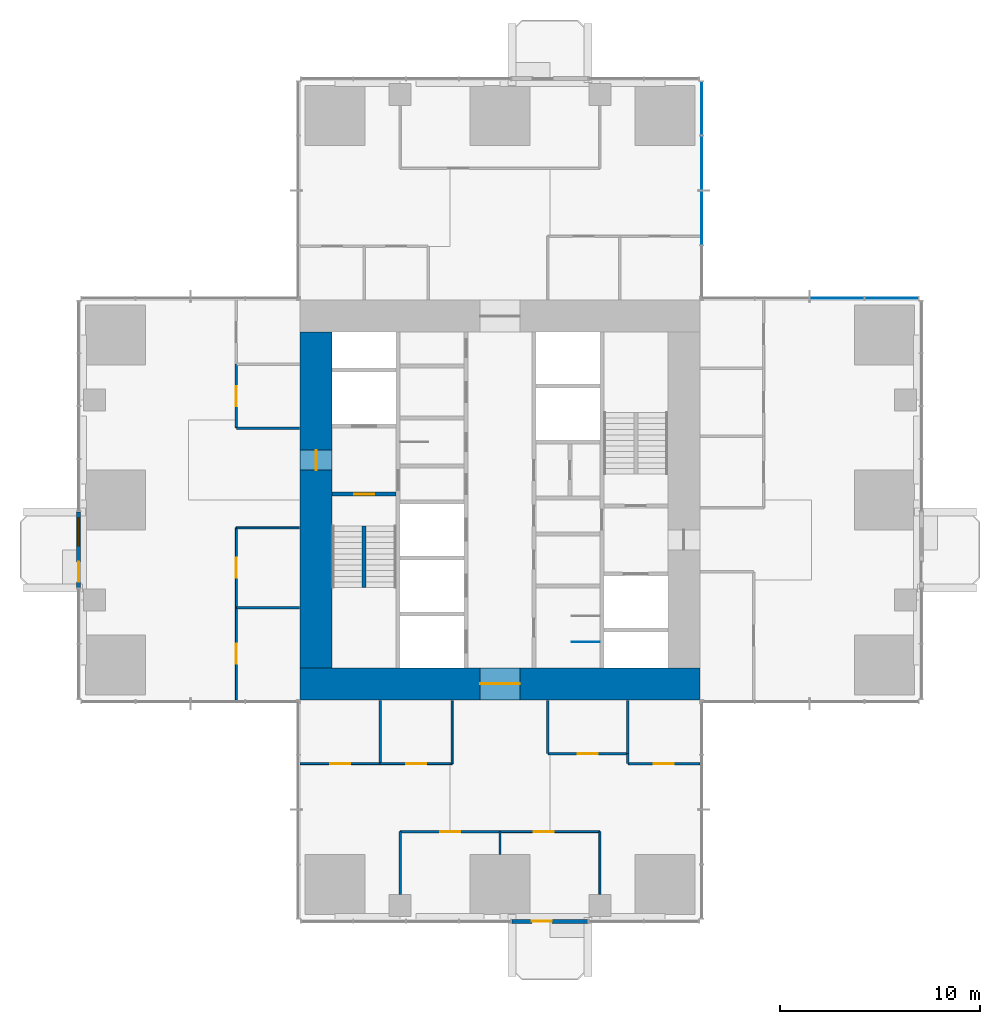
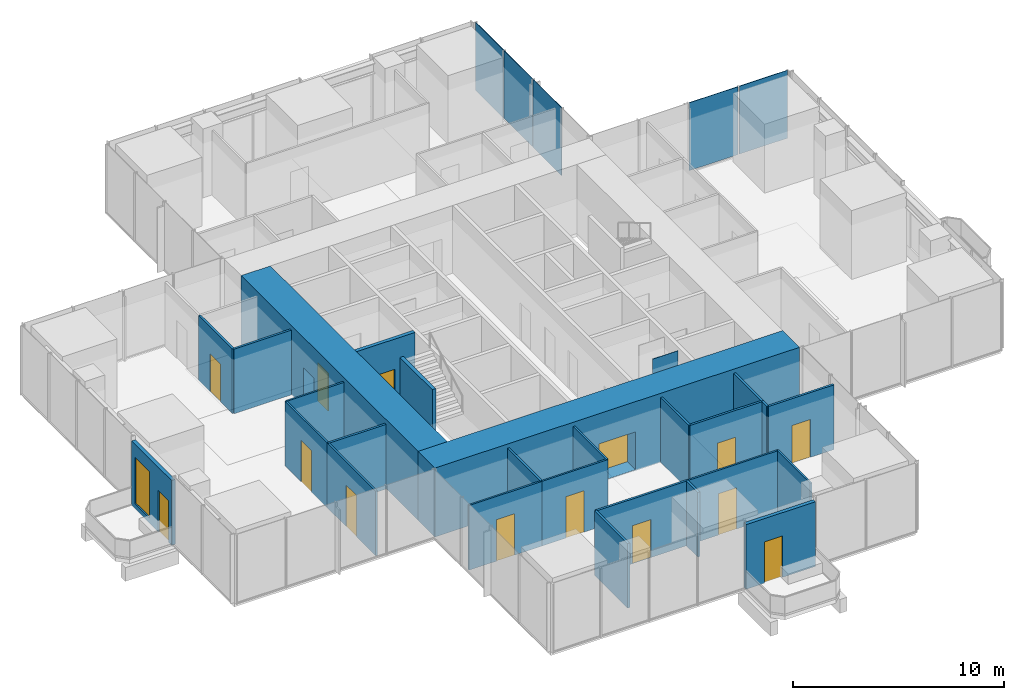
# One storey, part 8 of 13: 27 walls, 14 doors, 5 plates, 1 window, 15 openings, 2 elements without a shape of their own.
"""IFC4 building model written with IfcOpenShell, lengths in metres."""

from ifc_helpers import new_model, si_unit, direction, frame, frame_2d, origin, origin_2d, place, context, subcontext, project, spatial, rectangle, extrude, material, layer, layer_set, type_object, element, fill, aggregate, save


model = new_model("IFC4")

# Units and contexts
model_context = context("Model", 3, precision=1e-05, world=origin(), true_north=direction((0.0, 1.0)))
body_context = subcontext(model_context, "Body", "Model", "MODEL_VIEW")
ifc_project = project(units=[si_unit("LENGTHUNIT", "METRE"), si_unit("AREAUNIT", "SQUARE_METRE"), si_unit("VOLUMEUNIT", "CUBIC_METRE"), si_unit("PLANEANGLEUNIT", "RADIAN"), si_unit("MASSUNIT", "GRAM", prefix="KILO")], contexts=[model_context])

# Site, building, storey
site_placement = place(None, origin())
site = spatial("IfcSite", under=ifc_project, at=site_placement, CompositionType="ELEMENT")
building_placement = place(site_placement, origin())
building = spatial("IfcBuilding", under=site, at=building_placement, Name="Svetlomir Tower", CompositionType="ELEMENT")
storey_placement = place(building_placement, frame((0.0, 0.0, 128.5)))
storey = spatial("IfcBuildingStorey", under=building, at=storey_placement, Name="L30", CompositionType="ELEMENT", Elevation=128.5)

# Curtain wall, plates
ifc_material_1 = material(Name="Bronze anodised aluminium curtain wall", Category="aluminium")
curtain_wall_type = type_object("IfcCurtainWallType", Name="CURTAIN WALL CW1 TOWER OFFICE", PredefinedType="NOTDEFINED", material=ifc_material_1)
curtain_wall_1_placement = place(storey_placement, origin())
curtain_wall_1 = element("IfcCurtainWall", 1, at=curtain_wall_1_placement, inside=storey, type_object=curtain_wall_type, Name="Curtain wall CW1 L30", PredefinedType="NOTDEFINED")
ifc_material_2 = material(Name="Tinted double glazed unit", Category="glass")
ifc_layer_1 = layer(ifc_material_2, 0.031982421875)
ifc_layer_set_1 = layer_set([ifc_layer_1], Name="Tinted double glazed unit")
plate_type = type_object("IfcPlateType", Name="CW1 GLAZED PANEL 32", PredefinedType="CURTAIN_PANEL", material=ifc_layer_set_1)
plate_1_placement = place(storey_placement, frame((40.608642578125, 31.10009765625, 0.06494140625), z_axis=(0.0, 0.0, 1.0), x_axis=(-1.0, 0.0, 0.0)))
plate_1 = element("IfcPlate", 2, at=plate_1_placement, type_object=plate_type, Name="CW1 panel 1.1", PredefinedType="CURTAIN_PANEL", context=body_context, shape_type="SweptSolid", body=[
    extrude(rectangle(XDim=2.652587890625, YDim=0.031982421875, at=origin_2d()), origin(), (0.0, 0.0, 1.0), 3.93505859375),
])
plate_2_placement = place(storey_placement, frame((37.875, 31.10009765625, 0.06494140625), z_axis=(0.0, 0.0, 1.0), x_axis=(-1.0, 0.0, 0.0)))
plate_2 = element("IfcPlate", 3, at=plate_2_placement, type_object=plate_type, Name="CW1 panel 2.1", PredefinedType="CURTAIN_PANEL", context=body_context, shape_type="SweptSolid", body=[
    extrude(rectangle(XDim=2.68505859375, YDim=0.031982421875, at=origin_2d()), origin(), (0.0, 0.0, 1.0), 3.93505859375),
])
aggregate(curtain_wall_1, [plate_1, plate_2])

curtain_wall_2_placement = place(storey_placement, origin())
curtain_wall_2 = element("IfcCurtainWall", 4, at=curtain_wall_2_placement, inside=storey, type_object=curtain_wall_type, Name="Curtain wall CW1 L30", PredefinedType="NOTDEFINED")
plate_3_placement = place(storey_placement, frame((31.10009765625, 35.125, 0.06494140625), z_axis=(0.0, 0.0, 1.0), x_axis=(0.0, 1.0, 0.0)))
plate_3 = element("IfcPlate", 5, at=plate_3_placement, type_object=plate_type, Name="CW1 panel 2.1", PredefinedType="CURTAIN_PANEL", context=body_context, shape_type="SweptSolid", body=[
    extrude(rectangle(XDim=2.68505859375, YDim=0.031982421875, at=origin_2d()), origin(), (0.0, 0.0, 1.0), 3.93505859375),
])
plate_4_placement = place(storey_placement, frame((31.10009765625, 37.875, 0.06494140625), z_axis=(0.0, 0.0, 1.0), x_axis=(0.0, 1.0, 0.0)))
plate_4 = element("IfcPlate", 6, at=plate_4_placement, type_object=plate_type, Name="CW1 panel 3.1", PredefinedType="CURTAIN_PANEL", context=body_context, shape_type="SweptSolid", body=[
    extrude(rectangle(XDim=2.68505859375, YDim=0.031982421875, at=origin_2d()), origin(), (0.0, 0.0, 1.0), 3.93505859375),
])
plate_5_placement = place(storey_placement, frame((31.10009765625, 40.608642578125, 0.06494140625), z_axis=(0.0, 0.0, 1.0), x_axis=(0.0, 1.0, 0.0)))
plate_5 = element("IfcPlate", 7, at=plate_5_placement, type_object=plate_type, Name="CW1 panel 4.1", PredefinedType="CURTAIN_PANEL", context=body_context, shape_type="SweptSolid", body=[
    extrude(rectangle(XDim=2.652587890625, YDim=0.031982421875, at=origin_2d()), origin(), (0.0, 0.0, 1.0), 3.93505859375),
])
aggregate(curtain_wall_2, [plate_3, plate_4, plate_5])

# Wall, opening, door
ifc_material_3 = material(Name="Bronze anodised aluminium glazed screen", Category="aluminium")
ifc_layer_2 = layer(ifc_material_3, 0.199951171875)
ifc_layer_set_2 = layer_set([ifc_layer_2], Name="Bronze anodised aluminium glazed screen")
wall_type_1 = type_object("IfcWallType", Name="BALCONY SCREEN WALL 200", PredefinedType="USERDEFINED", material=ifc_layer_set_2)
wall_1_placement = place(storey_placement, frame((21.60009765625, -0.10009765625, 0.0), z_axis=(0.0, 0.0, 1.0), x_axis=(1.0, 0.0, 0.0)))
wall_1 = element("IfcWall", 8, at=wall_1_placement, inside=storey, type_object=wall_type_1, Name="Balcony screen S", ObjectType="GLAZED SCREEN", PredefinedType="USERDEFINED", context=body_context, shape_type="SweptSolid", body=[
    extrude(rectangle(XDim=3.7998046875, YDim=0.199951171875, at=frame_2d((1.89990234375, 0.0))), origin(), (0.0, 0.0, 1.0), 3.75),
])
opening_1_placement = place(wall_1_placement, frame((1.0, 0.0, 0.0)))
opening_1 = element("IfcOpeningElement", 9, at=opening_1_placement, cuts=wall_1, Name="Opening BD", PredefinedType="OPENING", context=body_context, shape_type="SweptSolid", body=[
    extrude(rectangle(XDim=1.0, YDim=2.39990234375, at=frame_2d((0.5, 1.199951171875))), frame((0.0, 0.10986328125, 0.0), z_axis=(0.0, -1.0, 0.0), x_axis=(1.0, 0.0, 0.0)), (0.0, 0.0, 1.0), 0.219970703125),
])
ifc_material_4 = material(Name="Bronze anodised aluminium glazed door", Category="aluminium")
door_type_1 = type_object("IfcDoorType", Name="BALCONY DOOR BD 1000x2400", OperationType="SINGLE_SWING_LEFT", PredefinedType="DOOR", material=ifc_material_4)
door_1_placement = place(opening_1_placement, origin())
door_1 = element("IfcDoor", 10, at=door_1_placement, inside=storey, type_object=door_type_1, Name="Balcony screen S door", OperationType="SINGLE_SWING_LEFT", OverallHeight=2.39990234375, OverallWidth=1.0, PredefinedType="DOOR", context=body_context, shape_type="SweptSolid", body=[
    extrude(rectangle(XDim=1.0, YDim=2.39990234375, at=frame_2d((0.5, 1.199951171875))), frame((0.0, 0.02490234375, 0.0), z_axis=(0.0, -1.0, 0.0), x_axis=(1.0, 0.0, 0.0)), (0.0, 0.0, 1.0), 0.050048828125),
])
fill(opening_1, door_1)

# Wall, openings, door, window
wall_2_placement = place(storey_placement, frame((-0.10009765625, 20.39990234375, 0.0), z_axis=(0.0, 0.0, 1.0), x_axis=(0.0, -1.0, 0.0)))
wall_2 = element("IfcWall", 11, at=wall_2_placement, inside=storey, type_object=wall_type_1, Name="Balcony screen W", ObjectType="GLAZED SCREEN", PredefinedType="USERDEFINED", context=body_context, shape_type="SweptSolid", body=[
    extrude(rectangle(XDim=3.7998046875, YDim=0.199951171875, at=frame_2d((1.89990234375, 0.0))), origin(), (0.0, 0.0, 1.0), 3.75),
])
opening_2_placement = place(wall_2_placement, frame((2.5, 0.0, 0.0)))
opening_2 = element("IfcOpeningElement", 12, at=opening_2_placement, cuts=wall_2, Name="Opening BD", PredefinedType="OPENING", context=body_context, shape_type="SweptSolid", body=[
    extrude(rectangle(XDim=1.0, YDim=2.39990234375, at=frame_2d((0.5, 1.199951171875))), frame((0.0, 0.10986328125, 0.0), z_axis=(0.0, -1.0, 0.0), x_axis=(1.0, 0.0, 0.0)), (0.0, 0.0, 1.0), 0.219970703125),
])
opening_3_placement = place(wall_2_placement, frame((0.300048828125, 0.0, 0.300048828125)))
opening_3 = element("IfcOpeningElement", 13, at=opening_3_placement, cuts=wall_2, Name="Opening WS2", PredefinedType="OPENING", context=body_context, shape_type="SweptSolid", body=[
    extrude(rectangle(XDim=1.39990234375, YDim=2.699951171875, at=frame_2d((0.699951171875, 1.35009765625))), frame((0.0, 0.10986328125, 0.0), z_axis=(0.0, -1.0, 0.0), x_axis=(1.0, 0.0, 0.0)), (0.0, 0.0, 1.0), 0.219970703125),
])
door_2_placement = place(opening_2_placement, origin())
door_2 = element("IfcDoor", 14, at=door_2_placement, inside=storey, type_object=door_type_1, Name="Balcony screen W door", OperationType="SINGLE_SWING_LEFT", OverallHeight=2.39990234375, OverallWidth=1.0, PredefinedType="DOOR", context=body_context, shape_type="SweptSolid", body=[
    extrude(rectangle(XDim=1.0, YDim=2.39990234375, at=frame_2d((0.5, 1.199951171875))), frame((0.0, 0.02490234375, 0.0), z_axis=(0.0, -1.0, 0.0), x_axis=(1.0, 0.0, 0.0)), (0.0, 0.0, 1.0), 0.050048828125),
])
fill(opening_2, door_2)
ifc_material_5 = material(Name="Bronze anodised aluminium window", Category="aluminium")
window_type = type_object("IfcWindowType", Name="SCREEN WINDOW WS2 1400x2700", PartitioningType="SINGLE_PANEL", PredefinedType="WINDOW", material=ifc_material_5)
window_placement = place(opening_3_placement, origin())
window = element("IfcWindow", 15, at=window_placement, inside=storey, type_object=window_type, Name="Balcony screen W window 1", OverallHeight=2.699951171875, OverallWidth=1.39990234375, PartitioningType="SINGLE_PANEL", PredefinedType="WINDOW", context=body_context, shape_type="SweptSolid", body=[
    extrude(rectangle(XDim=1.39990234375, YDim=2.699951171875, at=frame_2d((0.699951171875, 1.35009765625))), frame((0.0, 0.030029296875, 0.0), z_axis=(0.0, -1.0, 0.0), x_axis=(1.0, 0.0, 0.0)), (0.0, 0.0, 1.0), 0.06005859375),
])
fill(opening_3, window)

# Wall, opening, door
ifc_material_6 = material(Name="Concrete C60/75", Category="concrete")
ifc_layer_3 = layer(ifc_material_6, 0.199951171875)
ifc_layer_set_3 = layer_set([ifc_layer_3], Name="Concrete C60/75")
wall_type_2 = type_object("IfcWallType", Name="CORE INNER WALL 200", PredefinedType="SHEAR", material=ifc_layer_set_3)
wall_3_placement = place(storey_placement, frame((12.60009765625, 21.300048828125, -0.050048828125), z_axis=(0.0, 0.0, 1.0), x_axis=(1.0, 0.0, 0.0)))
wall_3 = element("IfcWall", 16, at=wall_3_placement, inside=storey, type_object=wall_type_2, Name="Core inner wall 12.6-15.8/21.3 L30", PredefinedType="SHEAR", context=body_context, shape_type="SweptSolid", body=[
    extrude(rectangle(XDim=3.199951171875, YDim=0.199951171875, at=frame_2d((1.60009765625, 0.0))), origin(), (0.0, 0.0, 1.0), 4.0),
])
opening_4_placement = place(wall_3_placement, frame((1.10009765625, 0.0, 0.050048828125)))
opening_4 = element("IfcOpeningElement", 17, at=opening_4_placement, cuts=wall_3, Name="Opening DF", PredefinedType="OPENING", context=body_context, shape_type="SweptSolid", body=[
    extrude(rectangle(XDim=1.0, YDim=2.199951171875, at=frame_2d((0.5, 1.10009765625))), frame((0.0, 0.10986328125, 0.0), z_axis=(0.0, -1.0, 0.0), x_axis=(1.0, 0.0, 0.0)), (0.0, 0.0, 1.0), 0.219970703125),
])
ifc_material_7 = material(Name="Steel fire door", Category="steel")
door_type_2 = type_object("IfcDoorType", Name="DOOR DF 1000x2200", OperationType="SINGLE_SWING_LEFT", PredefinedType="DOOR", material=ifc_material_7)
door_3_placement = place(opening_4_placement, origin())
door_3 = element("IfcDoor", 18, at=door_3_placement, inside=storey, type_object=door_type_2, Name="Stair S1 door L30", OperationType="SINGLE_SWING_LEFT", OverallHeight=2.199951171875, OverallWidth=1.0, PredefinedType="DOOR", context=body_context, shape_type="SweptSolid", body=[
    extrude(rectangle(XDim=1.0, YDim=2.199951171875, at=frame_2d((0.5, 1.10009765625))), frame((0.0, 0.02490234375, 0.0), z_axis=(0.0, -1.0, 0.0), x_axis=(1.0, 0.0, 0.0)), (0.0, 0.0, 1.0), 0.050048828125),
])
fill(opening_4, door_3)

ifc_material_8 = material(Name="Concrete C60/75", Category="concrete")
ifc_layer_4 = layer(ifc_material_8, 1.60009765625)
ifc_layer_set_4 = layer_set([ifc_layer_4], Name="Concrete C60/75")
wall_type_3 = type_object("IfcWallType", Name="CORE WALL 1600", PredefinedType="SHEAR", material=ifc_layer_set_4)
wall_4_placement = place(storey_placement, frame((11.0, 11.800048828125, -0.050048828125), z_axis=(0.0, 0.0, 1.0), x_axis=(1.0, 0.0, 0.0)))
wall_4 = element("IfcWall", 19, at=wall_4_placement, inside=storey, type_object=wall_type_3, Name="Core wall south L30", PredefinedType="SHEAR", context=body_context, shape_type="SweptSolid", body=[
    extrude(rectangle(XDim=20.0, YDim=1.60009765625, at=frame_2d((10.0, 0.0))), origin(), (0.0, 0.0, 1.0), 4.0),
])
opening_5_placement = place(wall_4_placement, frame((9.0, 0.0, 0.050048828125)))
opening_5 = element("IfcOpeningElement", 20, at=opening_5_placement, cuts=wall_4, Name="Opening DL", PredefinedType="OPENING", context=body_context, shape_type="SweptSolid", body=[
    extrude(rectangle(XDim=2.0, YDim=2.199951171875, at=frame_2d((1.0, 1.10009765625))), frame((0.0, 0.81005859375, 0.0), z_axis=(0.0, -1.0, 0.0), x_axis=(1.0, 0.0, 0.0)), (0.0, 0.0, 1.0), 1.6201171875),
])
ifc_material_9 = material(Name="Steel fire door", Category="steel")
door_type_3 = type_object("IfcDoorType", Name="DOOR DL 2000x2200", OperationType="DOUBLE_DOOR_SINGLE_SWING", PredefinedType="DOOR", material=ifc_material_9)
door_4_placement = place(opening_5_placement, origin())
door_4 = element("IfcDoor", 21, at=door_4_placement, inside=storey, type_object=door_type_3, Name="Lift lobby south door L30", OperationType="DOUBLE_DOOR_SINGLE_SWING", OverallHeight=2.199951171875, OverallWidth=2.0, PredefinedType="DOOR", context=body_context, shape_type="SweptSolid", body=[
    extrude(rectangle(XDim=2.0, YDim=2.199951171875, at=frame_2d((1.0, 1.10009765625))), frame((0.0, 0.02490234375, 0.0), z_axis=(0.0, -1.0, 0.0), x_axis=(1.0, 0.0, 0.0)), (0.0, 0.0, 1.0), 0.050048828125),
])
fill(opening_5, door_4)

wall_5_placement = place(storey_placement, frame((11.800048828125, 12.60009765625, -0.050048828125), z_axis=(0.0, 0.0, 1.0), x_axis=(0.0, 1.0, 0.0)))
wall_5 = element("IfcWall", 22, at=wall_5_placement, inside=storey, type_object=wall_type_3, Name="Core wall west L30", PredefinedType="SHEAR", context=body_context, shape_type="SweptSolid", body=[
    extrude(rectangle(XDim=16.7998046875, YDim=1.60009765625, at=frame_2d((8.39990234375, 0.0))), origin(), (0.0, 0.0, 1.0), 4.0),
])
opening_6_placement = place(wall_5_placement, frame((9.89990234375, 0.0, 0.050048828125)))
opening_6 = element("IfcOpeningElement", 23, at=opening_6_placement, cuts=wall_5, Name="Opening DF", PredefinedType="OPENING", context=body_context, shape_type="SweptSolid", body=[
    extrude(rectangle(XDim=1.0, YDim=2.199951171875, at=frame_2d((0.5, 1.10009765625))), frame((0.0, 0.81005859375, 0.0), z_axis=(0.0, -1.0, 0.0), x_axis=(1.0, 0.0, 0.0)), (0.0, 0.0, 1.0), 1.6201171875),
])
door_5_placement = place(opening_6_placement, origin())
door_5 = element("IfcDoor", 24, at=door_5_placement, inside=storey, type_object=door_type_2, Name="Firefighting lobby west door L30", OperationType="SINGLE_SWING_LEFT", OverallHeight=2.199951171875, OverallWidth=1.0, PredefinedType="DOOR", context=body_context, shape_type="SweptSolid", body=[
    extrude(rectangle(XDim=1.0, YDim=2.199951171875, at=frame_2d((0.5, 1.10009765625))), frame((0.0, 0.02490234375, 0.0), z_axis=(0.0, -1.0, 0.0), x_axis=(1.0, 0.0, 0.0)), (0.0, 0.0, 1.0), 0.050048828125),
])
fill(opening_6, door_5)

ifc_material_10 = material(Name="Framed laminated glass partition", Category="glass")
ifc_layer_5 = layer(ifc_material_10, 0.10009765625)
ifc_layer_set_5 = layer_set([ifc_layer_5], Name="Framed laminated glass partition")
wall_type_4 = type_object("IfcWallType", Name="GLAZED PARTITION 100", PredefinedType="PARTITIONING", material=ifc_layer_set_5)
wall_6_placement = place(storey_placement, frame((7.800048828125, 11.0, 0.0), z_axis=(0.0, 0.0, 1.0), x_axis=(0.0, 1.0, 0.0)))
wall_6 = element("IfcWall", 25, at=wall_6_placement, inside=storey, type_object=wall_type_4, Name="Glazed partition L30", PredefinedType="PARTITIONING", context=body_context, shape_type="SweptSolid", body=[
    extrude(rectangle(XDim=4.60009765625, YDim=0.10009765625, at=frame_2d((2.300048828125, 0.0))), origin(), (0.0, 0.0, 1.0), 3.75),
])
opening_7_placement = place(wall_6_placement, frame((1.800048828125, 0.0, 0.0)))
opening_7 = element("IfcOpeningElement", 26, at=opening_7_placement, cuts=wall_6, Name="Opening DG", PredefinedType="OPENING", context=body_context, shape_type="SweptSolid", body=[
    extrude(rectangle(XDim=1.0, YDim=2.39990234375, at=frame_2d((0.5, 1.199951171875))), frame((0.0, 0.06005859375, 0.0), z_axis=(0.0, -1.0, 0.0), x_axis=(1.0, 0.0, 0.0)), (0.0, 0.0, 1.0), 0.1201171875),
])
ifc_material_11 = material(Name="Framed laminated glass door", Category="glass")
door_type_4 = type_object("IfcDoorType", Name="GLAZED DOOR DG 1000x2400", OperationType="SINGLE_SWING_LEFT", PredefinedType="DOOR", material=ifc_material_11)
door_6_placement = place(opening_7_placement, origin())
door_6 = element("IfcDoor", 27, at=door_6_placement, inside=storey, type_object=door_type_4, Name="Meeting room, 4 seats door L30", OperationType="SINGLE_SWING_RIGHT", OverallHeight=2.39990234375, OverallWidth=1.0, PredefinedType="DOOR", context=body_context, shape_type="SweptSolid", body=[
    extrude(rectangle(XDim=1.0, YDim=2.39990234375, at=frame_2d((0.5, 1.199951171875))), frame((0.0, 0.02490234375, 0.0), z_axis=(0.0, -1.0, 0.0), x_axis=(1.0, 0.0, 0.0)), (0.0, 0.0, 1.0), 0.050048828125),
])
fill(opening_7, door_6)

wall_7_placement = place(storey_placement, frame((7.800048828125, 15.60009765625, 0.0), z_axis=(0.0, 0.0, 1.0), x_axis=(0.0, 1.0, 0.0)))
wall_7 = element("IfcWall", 28, at=wall_7_placement, inside=storey, type_object=wall_type_4, Name="Glazed partition L30", PredefinedType="PARTITIONING", context=body_context, shape_type="SweptSolid", body=[
    extrude(rectangle(XDim=4.0, YDim=0.10009765625, at=frame_2d((2.0, 0.0))), origin(), (0.0, 0.0, 1.0), 3.75),
])
opening_8_placement = place(wall_7_placement, frame((1.5, 0.0, 0.0)))
opening_8 = element("IfcOpeningElement", 29, at=opening_8_placement, cuts=wall_7, Name="Opening DG", PredefinedType="OPENING", context=body_context, shape_type="SweptSolid", body=[
    extrude(rectangle(XDim=1.0, YDim=2.39990234375, at=frame_2d((0.5, 1.199951171875))), frame((0.0, 0.06005859375, 0.0), z_axis=(0.0, -1.0, 0.0), x_axis=(1.0, 0.0, 0.0)), (0.0, 0.0, 1.0), 0.1201171875),
])
door_7_placement = place(opening_8_placement, origin())
door_7 = element("IfcDoor", 30, at=door_7_placement, inside=storey, type_object=door_type_4, Name="Phone rooms door L30", OperationType="SINGLE_SWING_RIGHT", OverallHeight=2.39990234375, OverallWidth=1.0, PredefinedType="DOOR", context=body_context, shape_type="SweptSolid", body=[
    extrude(rectangle(XDim=1.0, YDim=2.39990234375, at=frame_2d((0.5, 1.199951171875))), frame((0.0, 0.02490234375, 0.0), z_axis=(0.0, -1.0, 0.0), x_axis=(1.0, 0.0, 0.0)), (0.0, 0.0, 1.0), 0.050048828125),
])
fill(opening_8, door_7)

# Wall
wall_8_placement = place(storey_placement, frame((7.800048828125, 19.60009765625, 0.0), z_axis=(0.0, 0.0, 1.0), x_axis=(1.0, 0.0, 0.0)))
element("IfcWall", 31, at=wall_8_placement, inside=storey, type_object=wall_type_4, Name="Glazed partition L30", PredefinedType="PARTITIONING", context=body_context, shape_type="SweptSolid", body=[
    extrude(rectangle(XDim=3.14990234375, YDim=0.10009765625, at=frame_2d((1.574951171875, 0.0))), origin(), (0.0, 0.0, 1.0), 3.75),
])

# Wall, opening, door
wall_9_placement = place(storey_placement, frame((11.0, 7.800048828125, 0.0), z_axis=(0.0, 0.0, 1.0), x_axis=(1.0, 0.0, 0.0)))
wall_9 = element("IfcWall", 32, at=wall_9_placement, inside=storey, type_object=wall_type_4, Name="Glazed partition L30", PredefinedType="PARTITIONING", context=body_context, shape_type="SweptSolid", body=[
    extrude(rectangle(XDim=4.0, YDim=0.10009765625, at=frame_2d((2.0, 0.0))), origin(), (0.0, 0.0, 1.0), 3.75),
])
opening_9_placement = place(wall_9_placement, frame((1.5, 0.0, 0.0)))
opening_9 = element("IfcOpeningElement", 33, at=opening_9_placement, cuts=wall_9, Name="Opening DG", PredefinedType="OPENING", context=body_context, shape_type="SweptSolid", body=[
    extrude(rectangle(XDim=1.0, YDim=2.39990234375, at=frame_2d((0.5, 1.199951171875))), frame((0.0, 0.06005859375, 0.0), z_axis=(0.0, -1.0, 0.0), x_axis=(1.0, 0.0, 0.0)), (0.0, 0.0, 1.0), 0.1201171875),
])
door_8_placement = place(opening_9_placement, origin())
door_8 = element("IfcDoor", 34, at=door_8_placement, inside=storey, type_object=door_type_4, Name="Grid model room door L30", OperationType="SINGLE_SWING_RIGHT", OverallHeight=2.39990234375, OverallWidth=1.0, PredefinedType="DOOR", context=body_context, shape_type="SweptSolid", body=[
    extrude(rectangle(XDim=1.0, YDim=2.39990234375, at=frame_2d((0.5, 1.199951171875))), frame((0.0, 0.02490234375, 0.0), z_axis=(0.0, -1.0, 0.0), x_axis=(1.0, 0.0, 0.0)), (0.0, 0.0, 1.0), 0.050048828125),
])
fill(opening_9, door_8)

wall_10_placement = place(storey_placement, frame((15.0, 7.800048828125, 0.0), z_axis=(0.0, 0.0, 1.0), x_axis=(1.0, 0.0, 0.0)))
wall_10 = element("IfcWall", 35, at=wall_10_placement, inside=storey, type_object=wall_type_4, Name="Glazed partition L30", PredefinedType="PARTITIONING", context=body_context, shape_type="SweptSolid", body=[
    extrude(rectangle(XDim=3.60009765625, YDim=0.10009765625, at=frame_2d((1.800048828125, 0.0))), origin(), (0.0, 0.0, 1.0), 3.75),
])
opening_10_placement = place(wall_10_placement, frame((1.300048828125, 0.0, 0.0)))
opening_10 = element("IfcOpeningElement", 36, at=opening_10_placement, cuts=wall_10, Name="Opening DG", PredefinedType="OPENING", context=body_context, shape_type="SweptSolid", body=[
    extrude(rectangle(XDim=1.0, YDim=2.39990234375, at=frame_2d((0.5, 1.199951171875))), frame((0.0, 0.06005859375, 0.0), z_axis=(0.0, -1.0, 0.0), x_axis=(1.0, 0.0, 0.0)), (0.0, 0.0, 1.0), 0.1201171875),
])
door_9_placement = place(opening_10_placement, origin())
door_9 = element("IfcDoor", 37, at=door_9_placement, inside=storey, type_object=door_type_4, Name="Meeting room, 8 seats door L30", OperationType="SINGLE_SWING_LEFT", OverallHeight=2.39990234375, OverallWidth=1.0, PredefinedType="DOOR", context=body_context, shape_type="SweptSolid", body=[
    extrude(rectangle(XDim=1.0, YDim=2.39990234375, at=frame_2d((0.5, 1.199951171875))), frame((0.0, 0.02490234375, 0.0), z_axis=(0.0, -1.0, 0.0), x_axis=(1.0, 0.0, 0.0)), (0.0, 0.0, 1.0), 0.050048828125),
])
fill(opening_10, door_9)

# Wall
wall_11_placement = place(storey_placement, frame((18.60009765625, 7.800048828125, 0.0), z_axis=(0.0, 0.0, 1.0), x_axis=(0.0, 1.0, 0.0)))
element("IfcWall", 38, at=wall_11_placement, inside=storey, type_object=wall_type_4, Name="Glazed partition L30", PredefinedType="PARTITIONING", context=body_context, shape_type="SweptSolid", body=[
    extrude(rectangle(XDim=3.14990234375, YDim=0.10009765625, at=frame_2d((1.574951171875, 0.0))), origin(), (0.0, 0.0, 1.0), 3.75),
])

# Wall, opening, door
wall_12_placement = place(storey_placement, frame((21.0, 4.39990234375, 0.0), z_axis=(0.0, 0.0, 1.0), x_axis=(1.0, 0.0, 0.0)))
wall_12 = element("IfcWall", 39, at=wall_12_placement, inside=storey, type_object=wall_type_4, Name="Glazed partition L30", PredefinedType="PARTITIONING", context=body_context, shape_type="SweptSolid", body=[
    extrude(rectangle(XDim=5.0, YDim=0.10009765625, at=frame_2d((2.5, 0.0))), origin(), (0.0, 0.0, 1.0), 3.75),
])
opening_11_placement = place(wall_12_placement, frame((1.699951171875, 0.0, 0.0)))
opening_11 = element("IfcOpeningElement", 40, at=opening_11_placement, cuts=wall_12, Name="Opening DG", PredefinedType="OPENING", context=body_context, shape_type="SweptSolid", body=[
    extrude(rectangle(XDim=1.0, YDim=2.39990234375, at=frame_2d((0.5, 1.199951171875))), frame((0.0, 0.06005859375, 0.0), z_axis=(0.0, -1.0, 0.0), x_axis=(1.0, 0.0, 0.0)), (0.0, 0.0, 1.0), 0.1201171875),
])
door_10_placement = place(opening_11_placement, origin())
door_10 = element("IfcDoor", 41, at=door_10_placement, inside=storey, type_object=door_type_4, Name="Break-out and kitchenette door L30", OperationType="SINGLE_SWING_LEFT", OverallHeight=2.39990234375, OverallWidth=1.0, PredefinedType="DOOR", context=body_context, shape_type="SweptSolid", body=[
    extrude(rectangle(XDim=1.0, YDim=2.39990234375, at=frame_2d((0.5, 1.199951171875))), frame((0.0, 0.02490234375, 0.0), z_axis=(0.0, -1.0, 0.0), x_axis=(1.0, 0.0, 0.0)), (0.0, 0.0, 1.0), 0.050048828125),
])
fill(opening_11, door_10)

# Walls
wall_13_placement = place(storey_placement, frame((26.0, 1.260009765625, 0.0), z_axis=(0.0, 0.0, 1.0), x_axis=(0.0, 1.0, 0.0)))
element("IfcWall", 42, at=wall_13_placement, inside=storey, type_object=wall_type_4, Name="Glazed partition L30", PredefinedType="PARTITIONING", context=body_context, shape_type="SweptSolid", body=[
    extrude(rectangle(XDim=3.139892578125, YDim=0.10009765625, at=frame_2d((1.56982421875, 0.0))), origin(), (0.0, 0.0, 1.0), 3.75),
])
ifc_material_12 = material(Name="Gypsum board on steel studs", Category="steel")
ifc_layer_6 = layer(ifc_material_12, 0.1201171875)
ifc_layer_set_6 = layer_set([ifc_layer_6], Name="Gypsum board on steel studs")
wall_type_5 = type_object("IfcWallType", Name="PARTITION 120", PredefinedType="PARTITIONING", material=ifc_layer_set_6)
wall_14_placement = place(storey_placement, frame((7.800048828125, 15.60009765625, 0.0), z_axis=(0.0, 0.0, 1.0), x_axis=(1.0, 0.0, 0.0)))
element("IfcWall", 43, at=wall_14_placement, inside=storey, type_object=wall_type_5, Name="Partition L30", PredefinedType="PARTITIONING", context=body_context, shape_type="SweptSolid", body=[
    extrude(rectangle(XDim=3.14990234375, YDim=0.1201171875, at=frame_2d((1.574951171875, 0.0))), origin(), (0.0, 0.0, 1.0), 3.75),
])

# Wall, opening, door
wall_15_placement = place(storey_placement, frame((7.800048828125, 24.60009765625, 0.0), z_axis=(0.0, 0.0, 1.0), x_axis=(0.0, 1.0, 0.0)))
wall_15 = element("IfcWall", 44, at=wall_15_placement, inside=storey, type_object=wall_type_5, Name="Partition L30", PredefinedType="PARTITIONING", context=body_context, shape_type="SweptSolid", body=[
    extrude(rectangle(XDim=3.199951171875, YDim=0.1201171875, at=frame_2d((1.60009765625, 0.0))), origin(), (0.0, 0.0, 1.0), 3.75),
])
opening_12_placement = place(wall_15_placement, frame((1.10009765625, 0.0, 0.0)))
opening_12 = element("IfcOpeningElement", 45, at=opening_12_placement, cuts=wall_15, Name="Opening DR", PredefinedType="OPENING", context=body_context, shape_type="SweptSolid", body=[
    extrude(rectangle(XDim=1.0, YDim=2.199951171875, at=frame_2d((0.5, 1.10009765625))), frame((0.0, 0.070068359375, 0.0), z_axis=(0.0, -1.0, 0.0), x_axis=(1.0, 0.0, 0.0)), (0.0, 0.0, 1.0), 0.14013671875),
])
ifc_material_13 = material(Name="Timber door, glazed side light", Category="wood")
door_type_5 = type_object("IfcDoorType", Name="DOOR DR 1000x2200", OperationType="SINGLE_SWING_LEFT", PredefinedType="DOOR", material=ifc_material_13)
door_11_placement = place(opening_12_placement, origin())
door_11 = element("IfcDoor", 46, at=door_11_placement, inside=storey, type_object=door_type_5, Name="Energy analyst office door L30", OperationType="SINGLE_SWING_LEFT", OverallHeight=2.199951171875, OverallWidth=1.0, PredefinedType="DOOR", context=body_context, shape_type="SweptSolid", body=[
    extrude(rectangle(XDim=1.0, YDim=2.199951171875, at=frame_2d((0.5, 1.10009765625))), frame((0.0, 0.02490234375, 0.0), z_axis=(0.0, -1.0, 0.0), x_axis=(1.0, 0.0, 0.0)), (0.0, 0.0, 1.0), 0.050048828125),
])
fill(opening_12, door_11)

# Walls
for number, where, z_axis, x_axis, name in (
    (47, (7.800048828125, 24.60009765625, 0.0), (0.0, 0.0, 1.0), (1.0, 0.0, 0.0), "Partition L30"),
    (48, (15.0, 7.800048828125, 0.0), (0.0, 0.0, 1.0), (0.0, 1.0, 0.0), "Partition L30"),
):
    element("IfcWall", number, at=place(storey_placement, frame(where, z_axis=z_axis, x_axis=x_axis)), inside=storey, type_object=wall_type_5, Name=name, PredefinedType="PARTITIONING", context=body_context, shape_type="SweptSolid", body=[
        extrude(rectangle(XDim=3.14990234375, YDim=0.1201171875, at=frame_2d((1.574951171875, 0.0))), origin(), (0.0, 0.0, 1.0), 3.75),
    ])
wall_16_placement = place(storey_placement, frame((16.0, 1.260009765625, 0.0), z_axis=(0.0, 0.0, 1.0), x_axis=(0.0, 1.0, 0.0)))
element("IfcWall", 49, at=wall_16_placement, inside=storey, type_object=wall_type_5, Name="Partition L30", PredefinedType="PARTITIONING", context=body_context, shape_type="SweptSolid", body=[
    extrude(rectangle(XDim=3.139892578125, YDim=0.1201171875, at=frame_2d((1.56982421875, 0.0))), origin(), (0.0, 0.0, 1.0), 3.75),
])

# Wall, opening, door
wall_17_placement = place(storey_placement, frame((16.0, 4.39990234375, 0.0), z_axis=(0.0, 0.0, 1.0), x_axis=(1.0, 0.0, 0.0)))
wall_17 = element("IfcWall", 50, at=wall_17_placement, inside=storey, type_object=wall_type_5, Name="Partition L30", PredefinedType="PARTITIONING", context=body_context, shape_type="SweptSolid", body=[
    extrude(rectangle(XDim=5.0, YDim=0.1201171875, at=frame_2d((2.5, 0.0))), origin(), (0.0, 0.0, 1.0), 3.75),
])
opening_13_placement = place(wall_17_placement, frame((2.0, 0.0, 0.0)))
opening_13 = element("IfcOpeningElement", 51, at=opening_13_placement, cuts=wall_17, Name="Opening DR", PredefinedType="OPENING", context=body_context, shape_type="SweptSolid", body=[
    extrude(rectangle(XDim=1.0, YDim=2.199951171875, at=frame_2d((0.5, 1.10009765625))), frame((0.0, 0.070068359375, 0.0), z_axis=(0.0, -1.0, 0.0), x_axis=(1.0, 0.0, 0.0)), (0.0, 0.0, 1.0), 0.14013671875),
])
door_12_placement = place(opening_13_placement, origin())
door_12 = element("IfcDoor", 52, at=door_12_placement, inside=storey, type_object=door_type_5, Name="Portfolio director office door L30", OperationType="SINGLE_SWING_RIGHT", OverallHeight=2.199951171875, OverallWidth=1.0, PredefinedType="DOOR", context=body_context, shape_type="SweptSolid", body=[
    extrude(rectangle(XDim=1.0, YDim=2.199951171875, at=frame_2d((0.5, 1.10009765625))), frame((0.0, 0.02490234375, 0.0), z_axis=(0.0, -1.0, 0.0), x_axis=(1.0, 0.0, 0.0)), (0.0, 0.0, 1.0), 0.050048828125),
])
fill(opening_13, door_12)

# Walls
wall_18_placement = place(storey_placement, frame((21.0, 3.260009765625, 0.0), z_axis=(0.0, 0.0, 1.0), x_axis=(0.0, 1.0, 0.0)))
element("IfcWall", 53, at=wall_18_placement, inside=storey, type_object=wall_type_5, Name="Partition L30", PredefinedType="PARTITIONING", context=body_context, shape_type="SweptSolid", body=[
    extrude(rectangle(XDim=1.139892578125, YDim=0.1201171875, at=frame_2d((0.56982421875, 0.0))), origin(), (0.0, 0.0, 1.0), 3.75),
])
wall_19_placement = place(storey_placement, frame((23.39990234375, 8.300048828125, 0.0), z_axis=(0.0, 0.0, 1.0), x_axis=(0.0, 1.0, 0.0)))
element("IfcWall", 54, at=wall_19_placement, inside=storey, type_object=wall_type_5, Name="Partition L30", PredefinedType="PARTITIONING", context=body_context, shape_type="SweptSolid", body=[
    extrude(rectangle(XDim=2.64990234375, YDim=0.1201171875, at=frame_2d((1.324951171875, 0.0))), origin(), (0.0, 0.0, 1.0), 3.75),
])

# Wall, opening, door
wall_20_placement = place(storey_placement, frame((23.39990234375, 8.300048828125, 0.0), z_axis=(0.0, 0.0, 1.0), x_axis=(1.0, 0.0, 0.0)))
wall_20 = element("IfcWall", 55, at=wall_20_placement, inside=storey, type_object=wall_type_5, Name="Partition L30", PredefinedType="PARTITIONING", context=body_context, shape_type="SweptSolid", body=[
    extrude(rectangle(XDim=4.0, YDim=0.1201171875, at=frame_2d((2.0, 0.0))), origin(), (0.0, 0.0, 1.0), 3.75),
])
opening_14_placement = place(wall_20_placement, frame((1.5, 0.0, 0.0)))
opening_14 = element("IfcOpeningElement", 56, at=opening_14_placement, cuts=wall_20, Name="Opening DR", PredefinedType="OPENING", context=body_context, shape_type="SweptSolid", body=[
    extrude(rectangle(XDim=1.0, YDim=2.199951171875, at=frame_2d((0.5, 1.10009765625))), frame((0.0, 0.070068359375, 0.0), z_axis=(0.0, -1.0, 0.0), x_axis=(1.0, 0.0, 0.0)), (0.0, 0.0, 1.0), 0.14013671875),
])
door_13_placement = place(opening_14_placement, origin())
door_13 = element("IfcDoor", 57, at=door_13_placement, inside=storey, type_object=door_type_5, Name="Store 1 door L30", OperationType="SINGLE_SWING_RIGHT", OverallHeight=2.199951171875, OverallWidth=1.0, PredefinedType="DOOR", context=body_context, shape_type="SweptSolid", body=[
    extrude(rectangle(XDim=1.0, YDim=2.199951171875, at=frame_2d((0.5, 1.10009765625))), frame((0.0, 0.02490234375, 0.0), z_axis=(0.0, -1.0, 0.0), x_axis=(1.0, 0.0, 0.0)), (0.0, 0.0, 1.0), 0.050048828125),
])
fill(opening_14, door_13)

# Wall
wall_21_placement = place(storey_placement, frame((27.39990234375, 7.800048828125, 0.0), z_axis=(0.0, 0.0, 1.0), x_axis=(0.0, 1.0, 0.0)))
element("IfcWall", 58, at=wall_21_placement, inside=storey, type_object=wall_type_5, Name="Partition L30", PredefinedType="PARTITIONING", context=body_context, shape_type="SweptSolid", body=[
    extrude(rectangle(XDim=0.5, YDim=0.1201171875, at=frame_2d((0.25, 0.0))), origin(), (0.0, 0.0, 1.0), 3.75),
])

# Wall, opening, door
wall_22_placement = place(storey_placement, frame((27.39990234375, 7.800048828125, 0.0), z_axis=(0.0, 0.0, 1.0), x_axis=(1.0, 0.0, 0.0)))
wall_22 = element("IfcWall", 59, at=wall_22_placement, inside=storey, type_object=wall_type_5, Name="Partition L30", PredefinedType="PARTITIONING", context=body_context, shape_type="SweptSolid", body=[
    extrude(rectangle(XDim=3.60009765625, YDim=0.1201171875, at=frame_2d((1.800048828125, 0.0))), origin(), (0.0, 0.0, 1.0), 3.75),
])
opening_15_placement = place(wall_22_placement, frame((1.300048828125, 0.0, 0.0)))
opening_15 = element("IfcOpeningElement", 60, at=opening_15_placement, cuts=wall_22, Name="Opening DR", PredefinedType="OPENING", context=body_context, shape_type="SweptSolid", body=[
    extrude(rectangle(XDim=1.0, YDim=2.199951171875, at=frame_2d((0.5, 1.10009765625))), frame((0.0, 0.070068359375, 0.0), z_axis=(0.0, -1.0, 0.0), x_axis=(1.0, 0.0, 0.0)), (0.0, 0.0, 1.0), 0.14013671875),
])
door_14_placement = place(opening_15_placement, origin())
door_14 = element("IfcDoor", 61, at=door_14_placement, inside=storey, type_object=door_type_5, Name="Asset manager office door L30", OperationType="SINGLE_SWING_LEFT", OverallHeight=2.199951171875, OverallWidth=1.0, PredefinedType="DOOR", context=body_context, shape_type="SweptSolid", body=[
    extrude(rectangle(XDim=1.0, YDim=2.199951171875, at=frame_2d((0.5, 1.10009765625))), frame((0.0, 0.02490234375, 0.0), z_axis=(0.0, -1.0, 0.0), x_axis=(1.0, 0.0, 0.0)), (0.0, 0.0, 1.0), 0.050048828125),
])
fill(opening_15, door_14)

# Walls
wall_23_placement = place(storey_placement, frame((27.39990234375, 8.300048828125, 0.0), z_axis=(0.0, 0.0, 1.0), x_axis=(0.0, 1.0, 0.0)))
element("IfcWall", 62, at=wall_23_placement, inside=storey, type_object=wall_type_5, Name="Partition L30", PredefinedType="PARTITIONING", context=body_context, shape_type="SweptSolid", body=[
    extrude(rectangle(XDim=2.64990234375, YDim=0.1201171875, at=frame_2d((1.324951171875, 0.0))), origin(), (0.0, 0.0, 1.0), 3.75),
])
ifc_material_14 = material(Name="Concrete C60/75", Category="concrete")
ifc_layer_7 = layer(ifc_material_14, 0.199951171875)
ifc_layer_set_7 = layer_set([ifc_layer_7], Name="Concrete C60/75")
wall_type_6 = type_object("IfcWallType", Name="STAIR SPINE WALL 200", PredefinedType="PARTITIONING", material=ifc_layer_set_7)
wall_24_placement = place(storey_placement, frame((14.199951171875, 16.6201171875, 0.0), z_axis=(0.0, 0.0, 1.0), x_axis=(0.0, 1.0, 0.0)))
element("IfcWall", 63, at=wall_24_placement, inside=storey, type_object=wall_type_6, Name="Stair S1 spine wall L30", PredefinedType="PARTITIONING", context=body_context, shape_type="SweptSolid", body=[
    extrude(rectangle(XDim=3.079833984375, YDim=0.199951171875, at=frame_2d((1.5400390625, 0.0))), origin(), (0.0, 0.0, 1.0), 4.0),
])
ifc_material_15 = material(Name="Compact laminate panel", Category="plastic")
ifc_layer_8 = layer(ifc_material_15, 0.030029296875)
ifc_layer_set_8 = layer_set([ifc_layer_8], Name="Compact laminate panel")
wall_type_7 = type_object("IfcWallType", Name="WC CUBICLE PARTITION 30", PredefinedType="PARTITIONING", material=ifc_layer_set_8)
wall_25_placement = place(storey_placement, frame((24.60009765625, 13.89990234375, 0.0), z_axis=(0.0, 0.0, 1.0), x_axis=(1.0, 0.0, 0.0)))
element("IfcWall", 64, at=wall_25_placement, inside=storey, type_object=wall_type_7, Name="WC cubicle partition L30", PredefinedType="PARTITIONING", context=body_context, shape_type="SweptSolid", body=[
    extrude(rectangle(XDim=1.39990234375, YDim=0.030029296875, at=frame_2d((0.699951171875, 0.0))), origin(), (0.0, 0.0, 1.0), 3.75),
])

save(model, "model.ifc")
